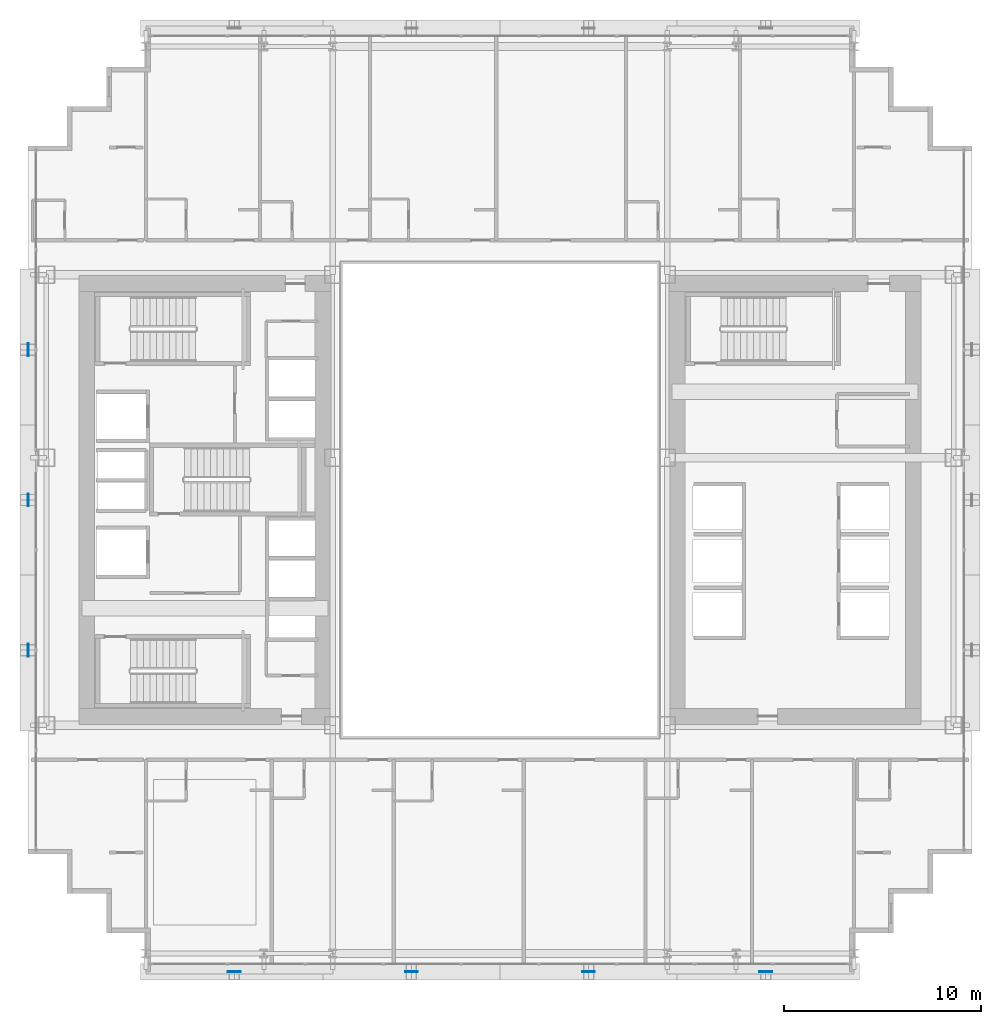
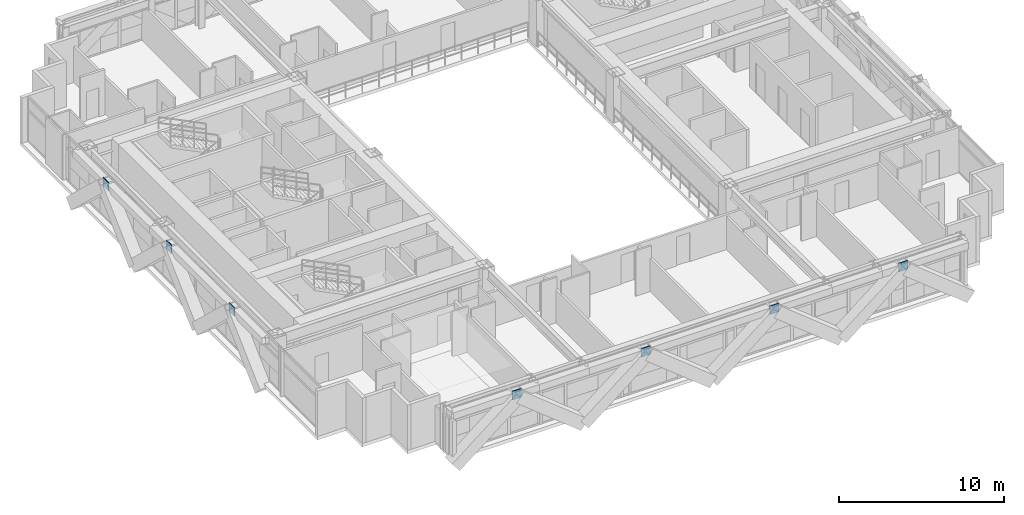
# One storey, part 25 of 35: 7 plates.
"""IFC4 building model written with IfcOpenShell, lengths in metres."""

from ifc_helpers import new_model, si_unit, direction, frame, origin, origin_2d, place, context, subcontext, project, spatial, rectangle, extrude, source, transform, mapped, material, layer, layer_set, type_object, element, save


model = new_model("IFC4")

# Units and contexts
model_context = context("Model", 3, precision=1e-05, world=origin(), true_north=direction((0.0, 1.0)))
body_context = subcontext(model_context, "Body", "Model", "MODEL_VIEW")
ifc_project = project(units=[si_unit("LENGTHUNIT", "METRE"), si_unit("AREAUNIT", "SQUARE_METRE"), si_unit("VOLUMEUNIT", "CUBIC_METRE"), si_unit("PLANEANGLEUNIT", "RADIAN"), si_unit("MASSUNIT", "GRAM", prefix="KILO")], contexts=[model_context])

# Site, building, storey
site_placement = place(None, origin())
site = spatial("IfcSite", under=ifc_project, at=site_placement, CompositionType="ELEMENT")
building_placement = place(site_placement, origin())
building = spatial("IfcBuilding", under=site, at=building_placement, Name="Ocotamira Hotel", CompositionType="ELEMENT")
storey_placement = place(building_placement, frame((0.0, 0.0, 49.199951171875)))
storey = spatial("IfcBuildingStorey", under=building, at=storey_placement, Name="L11", CompositionType="ELEMENT", Elevation=49.199951171875)

# Plates
ifc_material = material(Name="Pale-metal coated steel ASTM A572 Grade 50", Category="steel")
ifc_layer = layer(ifc_material, 0.0400390625)
ifc_layer_set = layer_set([ifc_layer], Name="Pale-metal coated steel ASTM A572 Grade 50")
plate_type = type_object("IfcPlateType", Name="PLT-GUSSET-40", PredefinedType="SHEET", material=ifc_layer_set)
shared_shape_1 = source(origin(), body_context, "Body", "SweptSolid", [
    extrude(rectangle(XDim=0.64990234375, YDim=0.0400390625, at=origin_2d()), origin(), (0.0, 0.0, 1.0), 0.64990234375),
])
for number, where, z_axis, x_axis, name in (
    (1, (18.5, 2.030029296875, 2.775146484375), (0.0, 0.0, 1.0), (1.0, 0.0, 0.0), "L11 Exoskeleton Diagrid S0.1 End Gusset B"),
    (2, (27.5, 2.030029296875, 2.775146484375), (0.0, 0.0, 1.0), (1.0, 0.0, 0.0), "L11 Exoskeleton Diagrid S1.1 End Gusset B"),
    (3, (36.5, 2.030029296875, 2.775146484375), (0.0, 0.0, 1.0), (1.0, 0.0, 0.0), "L11 Exoskeleton Diagrid S2.1 End Gusset B"),
    (4, (45.5, 2.030029296875, 2.775146484375), (0.0, 0.0, 1.0), (1.0, 0.0, 0.0), "L11 Exoskeleton Diagrid S3.1 End Gusset B"),
):
    element("IfcPlate", number, at=place(storey_placement, frame(where, z_axis=z_axis, x_axis=x_axis)), inside=storey, type_object=plate_type, Name=name, PredefinedType="SHEET", context=body_context, shape_type="MappedRepresentation", body=[
        mapped(shared_shape_1, transform((0.0, 0.0, 0.0), scale=1.0)),
    ])
shared_shape_2 = source(origin(), body_context, "Body", "SweptSolid", [
    extrude(rectangle(XDim=0.0400390625, YDim=0.64990234375, at=origin_2d()), origin(), (0.0, 0.0, 1.0), 0.64990234375),
])
for number, where, z_axis, x_axis, name in (
    (5, (8.030029296875, 18.36669921875, 2.775146484375), (0.0, 0.0, 1.0), (1.0, 0.0, 0.0), "L11 Exoskeleton Diagrid W0.1 End Gusset B"),
    (6, (8.030029296875, 26.0, 2.775146484375), (0.0, 0.0, 1.0), (1.0, 0.0, 0.0), "L11 Exoskeleton Diagrid W1.1 End Gusset B"),
    (7, (8.030029296875, 33.63330078125, 2.775146484375), (0.0, 0.0, 1.0), (1.0, 0.0, 0.0), "L11 Exoskeleton Diagrid W2.1 End Gusset B"),
):
    element("IfcPlate", number, at=place(storey_placement, frame(where, z_axis=z_axis, x_axis=x_axis)), inside=storey, type_object=plate_type, Name=name, PredefinedType="SHEET", context=body_context, shape_type="MappedRepresentation", body=[
        mapped(shared_shape_2, transform((0.0, 0.0, 0.0), scale=1.0)),
    ])

save(model, "model.ifc")
